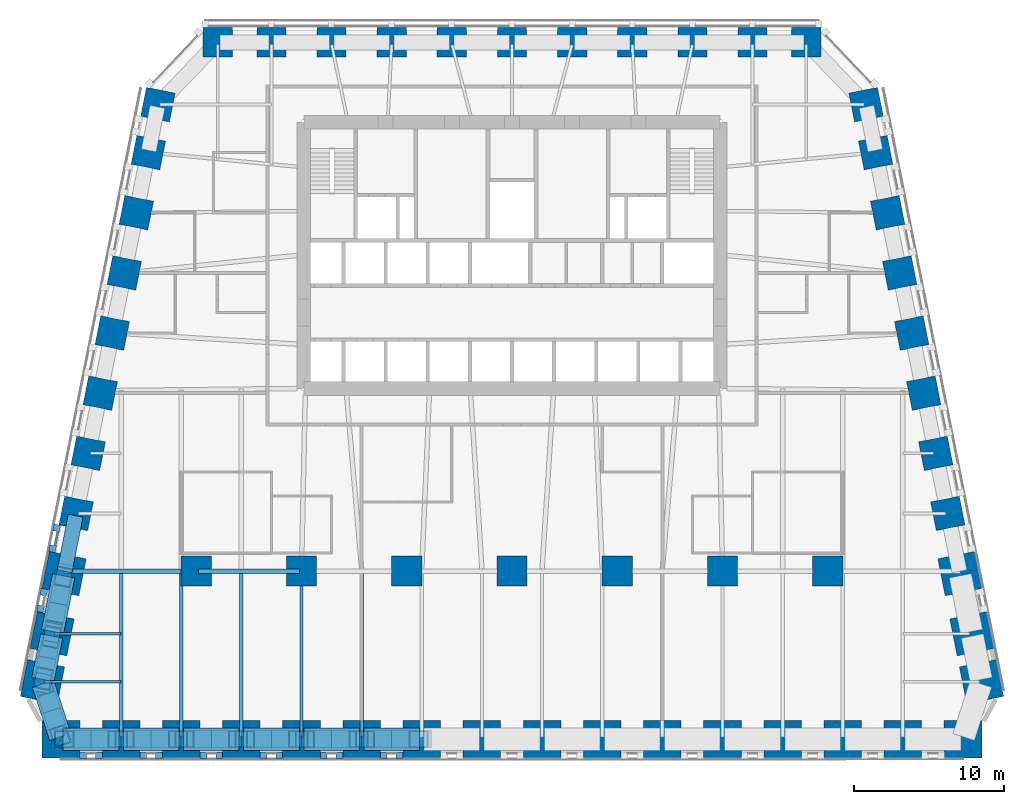
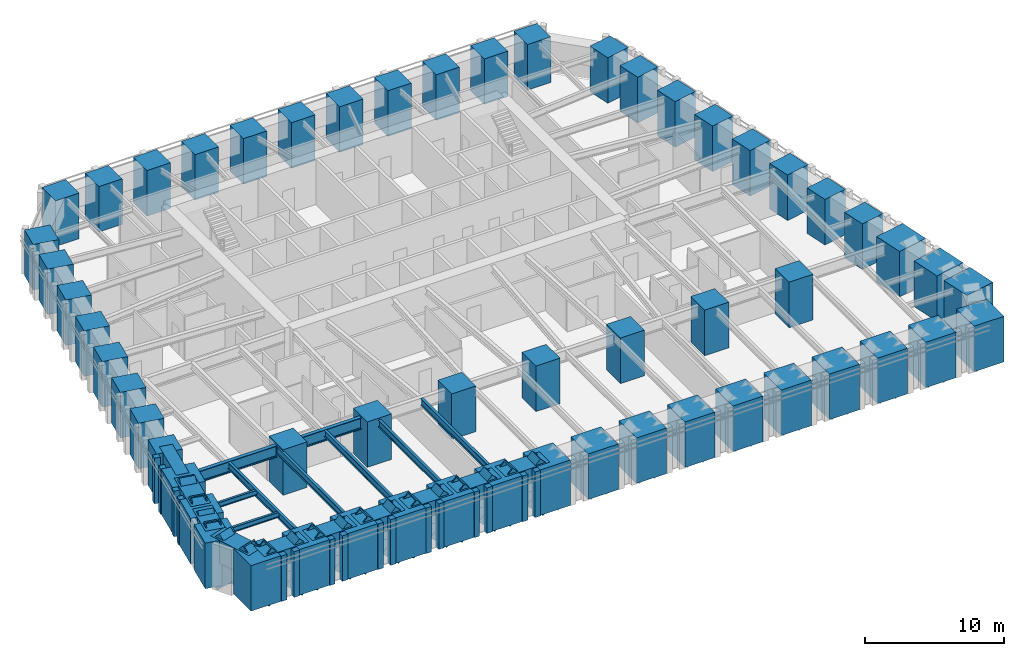
# One storey, part 1 of 16: 56 columns, 35 members, 19 beams, 8 elements without a shape of their own.
"""IFC4 building model written with IfcOpenShell, lengths in metres."""

import ifcopenshell
import ifcopenshell.guid

model = None  # the IFC model being written
_history = None  # IfcOwnerHistory: only IFC2X3 demands one
_inside = {}  # id of a spatial element -> (the spatial element, [elements in it])
_under = {}  # id of a project, library or spatial element -> (it, [spatial elements below it])
_declared = {}  # id of a project -> (the project, [libraries it declares])
_typed = {}  # id of a type object -> (the type object, [elements of that type])
_made_of = {}  # id of a material, layer set ... -> (it, [elements and type objects made of it])


def new_model(schema):
    """Start an empty IFC model of exactly this schema.

    Asked for "IFC4X3", IfcOpenShell would pick the latest addendum, in which some entities
    have other attributes; the version numbers below select the first issue.
    IFC2X3 requires an IfcOwnerHistory on every rooted entity: one is made here for all.
    """
    global model, _history
    if schema == "IFC4X3":
        model = ifcopenshell.file(schema_version=(4, 3, 0, 0))
    else:
        model = ifcopenshell.file(schema=schema)
    _inside.clear()
    _under.clear()
    _declared.clear()
    _typed.clear()
    _made_of.clear()
    _history = None
    if model.schema == "IFC2X3":
        org = make("IfcOrganization", Name="unknown")
        user = make(
            "IfcPersonAndOrganization",
            ThePerson=make("IfcPerson", FamilyName="unknown"),
            TheOrganization=org,
        )
        app = make(
            "IfcApplication",
            ApplicationDeveloper=org,
            Version="unknown",
            ApplicationFullName="unknown",
            ApplicationIdentifier="unknown",
        )
        _history = make(
            "IfcOwnerHistory",
            OwningUser=user,
            OwningApplication=app,
            ChangeAction="ADDED",
            CreationDate=0,
        )
    return model


def make(cls, **values):
    """One entity of the class cls with the attributes given. An attribute that is None is left unset."""
    return model.create_entity(
        cls, **{name: value for name, value in values.items() if value is not None}
    )


def rooted(cls, **values):
    """An entity with a GlobalId (a new one), such as an element, a storey or a relation."""
    return make(cls, GlobalId=ifcopenshell.guid.new(), OwnerHistory=_history, **values)


def si_unit(unit_type, name, prefix=None):
    """IfcSIUnit, for example si_unit("LENGTHUNIT", "METRE", prefix="MILLI")."""
    return make("IfcSIUnit", UnitType=unit_type, Prefix=prefix, Name=name)


def assignment(units):
    """IfcUnitAssignment: the units of a project."""
    return None if units is None else make("IfcUnitAssignment", Units=units)


def point(xyz):
    """IfcCartesianPoint."""
    return None if xyz is None else make("IfcCartesianPoint", Coordinates=xyz)


def direction(xyz):
    """IfcDirection."""
    return None if xyz is None else make("IfcDirection", DirectionRatios=xyz)


def frame(location, z_axis=None, x_axis=None):
    """IfcAxis2Placement3D, a coordinate frame: its origin and axes. An axis left out is left unset."""
    return make(
        "IfcAxis2Placement3D",
        Location=point(location),
        Axis=direction(z_axis),
        RefDirection=direction(x_axis),
    )


def frame_2d(location, x_axis=None):
    """IfcAxis2Placement2D, a coordinate frame in the plane: its origin and x axis."""
    return make(
        "IfcAxis2Placement2D", Location=point(location), RefDirection=direction(x_axis)
    )


def origin():
    """The frame at (0, 0, 0) with its axes left unset."""
    return frame((0.0, 0.0, 0.0))


def origin_2d():
    """The frame at (0, 0) in the plane with its x axis left unset."""
    return frame_2d((0.0, 0.0))


def place(relative_to, where):
    """IfcLocalPlacement: puts the frame where relative to a parent placement (None: the world)."""
    return make(
        "IfcLocalPlacement", PlacementRelTo=relative_to, RelativePlacement=where
    )


def context(
    kind, dimensions, precision=None, world=None, true_north=None, identifier=None
):
    """IfcGeometricRepresentationContext, for example the 3D "Model" context."""
    return make(
        "IfcGeometricRepresentationContext",
        ContextIdentifier=identifier,
        ContextType=kind,
        CoordinateSpaceDimension=dimensions,
        Precision=precision,
        WorldCoordinateSystem=world,
        TrueNorth=true_north,
    )


def subcontext(parent, identifier, kind, view, scale=None):
    """IfcGeometricRepresentationSubContext, for example "Body" below "Model"."""
    return make(
        "IfcGeometricRepresentationSubContext",
        ContextIdentifier=identifier,
        ContextType=kind,
        ParentContext=parent,
        TargetScale=scale,
        TargetView=view,
    )


def project(units=None, contexts=None):
    """IfcProject with its units and contexts."""
    return rooted(
        "IfcProject",
        Name="project",
        RepresentationContexts=contexts,
        UnitsInContext=assignment(units),
    )


def spatial(cls, under=None, at=None, **own):
    """A site, building, storey or space (cls), placed at a placement, below another one or the project."""
    s = rooted(cls, ObjectPlacement=at, **own)
    if under is not None:
        _under.setdefault(under.id(), (under, []))[1].append(s)
    return s


def profile(cls, at=None, kind="AREA", **sizes):
    """A parametric profile (cls). Its sizes go by their IFC names, for example OverallWidth=200.0."""
    return make(cls, ProfileType=kind, Position=at, **sizes)


def rectangle(**sizes):
    """IfcRectangleProfileDef."""
    return profile("IfcRectangleProfileDef", **sizes)


def hollow_rectangle(**sizes):
    """IfcRectangleHollowProfileDef."""
    return profile("IfcRectangleHollowProfileDef", **sizes)


def i_section(**sizes):
    """IfcIShapeProfileDef."""
    return profile("IfcIShapeProfileDef", **sizes)


def extrude(swept, where, along, depth):
    """IfcExtrudedAreaSolid: the profile swept, set in the frame where, extruded along a direction by depth."""
    return make(
        "IfcExtrudedAreaSolid",
        SweptArea=swept,
        Position=where,
        ExtrudedDirection=direction(along),
        Depth=depth,
    )


def shape(context_of_items, identifier, shape_type, items):
    """IfcShapeRepresentation: the items that make up one representation, for example the "Body"."""
    return make(
        "IfcShapeRepresentation",
        ContextOfItems=context_of_items,
        RepresentationIdentifier=identifier,
        RepresentationType=shape_type,
        Items=items,
    )


def material(Name=None, Category=None):
    """IfcMaterial."""
    return make("IfcMaterial", Name=Name, Category=Category)


def material_profile(
    of_material, cross_section, Name=None, Category=None, Priority=None
):
    """IfcMaterialProfile: a cross section and its material."""
    return make(
        "IfcMaterialProfile",
        Name=Name,
        Material=of_material,
        Profile=cross_section,
        Priority=Priority,
        Category=Category,
    )


def profile_set(profiles, Name=None, composite=None):
    """IfcMaterialProfileSet."""
    return make(
        "IfcMaterialProfileSet",
        Name=Name,
        MaterialProfiles=profiles,
        CompositeProfile=composite,
    )


def made_of(thing, what):
    """Note that an element or type object is made of a material, layer set ...; save() writes the relation."""
    if what is not None:
        _made_of.setdefault(what.id(), (what, []))[1].append(thing)
    return thing


def type_object(cls, material=None, **own):
    """A type object (cls), such as IfcWallType, which elements share."""
    return made_of(rooted(cls, **own), material)


def element(
    cls,
    number,
    at=None,
    inside=None,
    cuts=None,
    type_object=None,
    material=None,
    context=None,
    identifier="Body",
    shape_type=None,
    held_by="IfcProductDefinitionShape",
    body=None,
    shapes=None,
    **own,
):
    """One element of the class cls, such as IfcWall. Its Tag is "e" and its number.

    at: its placement. inside: the storey or other place that contains it. cuts: it is an
    opening in that element (IfcRelVoidsElement). A single representation is given by context,
    identifier, shape_type and body (its items); several are given by shapes. held_by: the class
    of the entity that holds the representations. save() writes the other relations.
    """
    e = rooted(cls, Tag="e%d" % number, ObjectPlacement=at, **own)
    if body is not None:
        shapes = [shape(context, identifier, shape_type, body)]
    if shapes is not None:
        e.Representation = make(held_by, Representations=shapes)
    if inside is not None:
        _inside.setdefault(inside.id(), (inside, []))[1].append(e)
    if cuts is not None:
        rooted(
            "IfcRelVoidsElement", RelatingBuildingElement=cuts, RelatedOpeningElement=e
        )
    if type_object is not None:
        _typed.setdefault(type_object.id(), (type_object, []))[1].append(e)
    return made_of(e, material)


def aggregate(whole, parts):
    """IfcRelAggregates: a whole, such as a stair, and the parts it consists of."""
    return rooted("IfcRelAggregates", RelatingObject=whole, RelatedObjects=parts)


def save(model, path):
    """Write the relations noted so far, then the file.

    IfcRelAggregates (storeys below a building ...), IfcRelContainedInSpatialStructure (elements
    in a storey), IfcRelDefinesByType, IfcRelAssociatesMaterial and IfcRelDeclares: one each for
    every whole, place, type object, material and project.
    """
    for whole, parts in _under.values():
        aggregate(whole, parts)
    for where, things in _inside.values():
        rooted(
            "IfcRelContainedInSpatialStructure",
            RelatedElements=things,
            RelatingStructure=where,
        )
    for kind, things in _typed.values():
        rooted("IfcRelDefinesByType", RelatedObjects=things, RelatingType=kind)
    for what, things in _made_of.values():
        rooted("IfcRelAssociatesMaterial", RelatedObjects=things, RelatingMaterial=what)
    for by, libraries in _declared.values():
        rooted("IfcRelDeclares", RelatingContext=by, RelatedDefinitions=libraries)
    model.write(path)


model = new_model("IFC4")

# Units and contexts
model_context = context("Model", 3, precision=1e-05, world=origin(), true_north=direction((0.0, 1.0)))
body_context = subcontext(model_context, "Body", "Model", "MODEL_VIEW")
ifc_project = project(units=[si_unit("LENGTHUNIT", "METRE"), si_unit("AREAUNIT", "SQUARE_METRE"), si_unit("VOLUMEUNIT", "CUBIC_METRE"), si_unit("PLANEANGLEUNIT", "RADIAN"), si_unit("MASSUNIT", "GRAM", prefix="KILO")], contexts=[model_context])

# Site, building, storey
site_placement = place(None, origin())
site = spatial("IfcSite", under=ifc_project, at=site_placement, CompositionType="ELEMENT")
building_placement = place(site_placement, origin())
building = spatial("IfcBuilding", under=site, at=building_placement, Name="Isbrekke Arena Tower", CompositionType="ELEMENT")
storey_placement = place(building_placement, frame((0.0, 0.0, 44.0)))
storey = spatial("IfcBuildingStorey", under=building, at=storey_placement, Name="L08", CompositionType="ELEMENT", Elevation=44.0)

# Columns
ifc_material_1 = material(Name="Concrete B90 (C90/105)", Category="concrete")
ifc_material_profile_1 = material_profile(ifc_material_1, rectangle(XDim=2.0, YDim=2.0, at=origin_2d()), Name="RC 2000x2000")
ifc_profile_set_1 = profile_set([ifc_material_profile_1], Name="Concrete B90 (C90/105)")
column_type_1 = type_object("IfcColumnType", Name="C11 RC 2000 x 2000", PredefinedType="COLUMN", material=ifc_profile_set_1)
for number, where, z_axis, x_axis, name in (
    (1, (-21.0, -6.0, 0.0), (0.0, 0.0, 1.0), (1.0, 0.0, 0.0), "C11 I01"),
    (2, (-14.0, -6.0, 0.0), (0.0, 0.0, 1.0), (1.0, 0.0, 0.0), "C11 I02"),
    (3, (-7.0, -6.0, 0.0), (0.0, 0.0, 1.0), (1.0, 0.0, 0.0), "C11 I03"),
    (4, (0.0, -6.0, 0.0), (0.0, 0.0, 1.0), (1.0, 0.0, 0.0), "C11 I04"),
    (5, (7.0, -6.0, 0.0), (0.0, 0.0, 1.0), (1.0, 0.0, 0.0), "C11 I05"),
    (6, (14.0, -6.0, 0.0), (0.0, 0.0, 1.0), (1.0, 0.0, 0.0), "C11 I06"),
    (7, (21.0, -6.0, 0.0), (0.0, 0.0, 1.0), (1.0, 0.0, 0.0), "C11 I07"),
):
    element("IfcColumn", number, at=place(storey_placement, frame(where, z_axis=z_axis, x_axis=x_axis)), inside=storey, type_object=column_type_1, Name=name, PredefinedType="COLUMN", context=body_context, shape_type="SweptSolid", body=[
        extrude(rectangle(XDim=2.0, YDim=2.0, at=origin_2d()), origin(), (0.0, 0.0, 1.0), 4.0),
    ])
ifc_material_2 = material(Name="Concrete B90 (C90/105)", Category="concrete")
ifc_material_profile_2 = material_profile(ifc_material_2, rectangle(XDim=1.949951171875, YDim=1.949951171875, at=origin_2d()), Name="RC 1950x1950")
ifc_profile_set_2 = profile_set([ifc_material_profile_2], Name="Concrete B90 (C90/105)")
column_type_2 = type_object("IfcColumnType", Name="C2 RC 1950 x 1950", PredefinedType="COLUMN", material=ifc_profile_set_2)
for number, where, z_axis, x_axis, name in (
    (8, (28.990966796875, -2.161865234375, 0.0), (0.0, 0.0, 1.0), (-0.196116135138, 0.980580675691, 0.0), "C2 E04"),
    (9, (28.19091796875, 1.838134765625, 0.0), (0.0, 0.0, 1.0), (-0.196116135138, 0.980580675691, 0.0), "C2 E05"),
    (10, (27.39111328125, 5.838134765625, 0.0), (0.0, 0.0, 1.0), (-0.196116135138, 0.980580675691, 0.0), "C2 E06"),
    (11, (26.591064453125, 9.838134765625, 0.0), (0.0, 0.0, 1.0), (-0.196116135138, 0.980580675691, 0.0), "C2 E07"),
    (12, (25.791015625, 13.838134765625, 0.0), (0.0, 0.0, 1.0), (-0.196116135138, 0.980580675691, 0.0), "C2 E08"),
    (13, (24.990966796875, 17.838134765625, 0.0), (0.0, 0.0, 1.0), (-0.196116135138, 0.980580675691, 0.0), "C2 E09"),
    (14, (24.19091796875, 21.838134765625, 0.0), (0.0, 0.0, 1.0), (-0.196116135138, 0.980580675691, 0.0), "C2 E10"),
    (15, (23.552734375, 25.029296875, 0.0), (0.0, 0.0, 1.0), (-0.196116135138, 0.980580675691, 0.0), "C2 E11"),
    (16, (19.574951171875, 29.175048828125, 0.0), (0.0, 0.0, 1.0), (-1.0, 0.0, 0.0), "C2 N01"),
    (17, (16.0, 29.175048828125, 0.0), (0.0, 0.0, 1.0), (-1.0, 0.0, 0.0), "C2 N02"),
    (18, (12.0, 29.175048828125, 0.0), (0.0, 0.0, 1.0), (-1.0, 0.0, 0.0), "C2 N03"),
    (19, (8.0, 29.175048828125, 0.0), (0.0, 0.0, 1.0), (-1.0, 0.0, 0.0), "C2 N04"),
    (20, (4.0, 29.175048828125, 0.0), (0.0, 0.0, 1.0), (-1.0, 0.0, 0.0), "C2 N05"),
    (21, (0.0, 29.175048828125, 0.0), (0.0, 0.0, 1.0), (-1.0, 0.0, 0.0), "C2 N06"),
    (22, (-4.0, 29.175048828125, 0.0), (0.0, 0.0, 1.0), (-1.0, 0.0, 0.0), "C2 N07"),
    (23, (-8.0, 29.175048828125, 0.0), (0.0, 0.0, 1.0), (-1.0, 0.0, 0.0), "C2 N08"),
    (24, (-12.0, 29.175048828125, 0.0), (0.0, 0.0, 1.0), (-1.0, 0.0, 0.0), "C2 N09"),
    (25, (-16.0, 29.175048828125, 0.0), (0.0, 0.0, 1.0), (-1.0, 0.0, 0.0), "C2 N10"),
    (26, (-19.574951171875, 29.175048828125, 0.0), (0.0, 0.0, 1.0), (-1.0, 0.0, 0.0), "C2 N11"),
    (27, (-23.552734375, 25.029296875, 0.0), (0.0, 0.0, 1.0), (-0.196116135138, -0.980580675691, 0.0), "C2 W01"),
    (28, (-24.19091796875, 21.838134765625, 0.0), (0.0, 0.0, 1.0), (-0.196116135138, -0.980580675691, 0.0), "C2 W02"),
    (29, (-24.990966796875, 17.838134765625, 0.0), (0.0, 0.0, 1.0), (-0.196116135138, -0.980580675691, 0.0), "C2 W03"),
    (30, (-25.791015625, 13.838134765625, 0.0), (0.0, 0.0, 1.0), (-0.196116135138, -0.980580675691, 0.0), "C2 W04"),
    (31, (-26.591064453125, 9.838134765625, 0.0), (0.0, 0.0, 1.0), (-0.196116135138, -0.980580675691, 0.0), "C2 W05"),
    (32, (-27.39111328125, 5.838134765625, 0.0), (0.0, 0.0, 1.0), (-0.196116135138, -0.980580675691, 0.0), "C2 W06"),
    (33, (-28.19091796875, 1.838134765625, 0.0), (0.0, 0.0, 1.0), (-0.196116135138, -0.980580675691, 0.0), "C2 W07"),
    (34, (-28.990966796875, -2.161865234375, 0.0), (0.0, 0.0, 1.0), (-0.196116135138, -0.980580675691, 0.0), "C2 W08"),
):
    element("IfcColumn", number, at=place(storey_placement, frame(where, z_axis=z_axis, x_axis=x_axis)), inside=storey, type_object=column_type_2, Name=name, PredefinedType="COLUMN", context=body_context, shape_type="SweptSolid", body=[
        extrude(rectangle(XDim=1.949951171875, YDim=1.949951171875, at=origin_2d()), origin(), (0.0, 0.0, 1.0), 4.0),
    ])
ifc_material_3 = material(Name="Concrete B90 (C90/105)", Category="concrete")
ifc_material_profile_3 = material_profile(ifc_material_3, rectangle(XDim=2.5, YDim=2.5, at=origin_2d()), Name="RC 2500x2500")
ifc_profile_set_3 = profile_set([ifc_material_profile_3], Name="Concrete B90 (C90/105)")
column_type_3 = type_object("IfcColumnType", Name="C20 RC 2500 x 2500", PredefinedType="COLUMN", material=ifc_profile_set_3)
for number, where, z_axis, x_axis, name in (
    (35, (-30.0, -17.175048828125, 0.0), (0.0, 0.0, 1.0), (1.0, 0.0, 0.0), "C20 S01"),
    (36, (-26.0, -17.175048828125, 0.0), (0.0, 0.0, 1.0), (1.0, 0.0, 0.0), "C20 S02"),
    (37, (-22.0, -17.175048828125, 0.0), (0.0, 0.0, 1.0), (1.0, 0.0, 0.0), "C20 S03"),
    (38, (-18.0, -17.175048828125, 0.0), (0.0, 0.0, 1.0), (1.0, 0.0, 0.0), "C20 S04"),
    (39, (-14.0, -17.175048828125, 0.0), (0.0, 0.0, 1.0), (1.0, 0.0, 0.0), "C20 S05"),
    (40, (-10.0, -17.175048828125, 0.0), (0.0, 0.0, 1.0), (1.0, 0.0, 0.0), "C20 S06"),
    (41, (-6.0, -17.175048828125, 0.0), (0.0, 0.0, 1.0), (1.0, 0.0, 0.0), "C20 S07"),
    (42, (-2.0, -17.175048828125, 0.0), (0.0, 0.0, 1.0), (1.0, 0.0, 0.0), "C20 S08"),
    (43, (2.0, -17.175048828125, 0.0), (0.0, 0.0, 1.0), (1.0, 0.0, 0.0), "C20 S09"),
    (44, (6.0, -17.175048828125, 0.0), (0.0, 0.0, 1.0), (1.0, 0.0, 0.0), "C20 S10"),
    (45, (10.0, -17.175048828125, 0.0), (0.0, 0.0, 1.0), (1.0, 0.0, 0.0), "C20 S11"),
    (46, (14.0, -17.175048828125, 0.0), (0.0, 0.0, 1.0), (1.0, 0.0, 0.0), "C20 S12"),
    (47, (18.0, -17.175048828125, 0.0), (0.0, 0.0, 1.0), (1.0, 0.0, 0.0), "C20 S13"),
    (48, (22.0, -17.175048828125, 0.0), (0.0, 0.0, 1.0), (1.0, 0.0, 0.0), "C20 S14"),
    (49, (26.0, -17.175048828125, 0.0), (0.0, 0.0, 1.0), (1.0, 0.0, 0.0), "C20 S15"),
    (50, (30.0, -17.175048828125, 0.0), (0.0, 0.0, 1.0), (1.0, 0.0, 0.0), "C20 S16"),
    (51, (31.229248046875, -13.352783203125, 0.0), (0.0, 0.0, 1.0), (-0.196116135138, 0.980580675691, 0.0), "C20 E01"),
    (52, (30.591064453125, -10.161865234375, 0.0), (0.0, 0.0, 1.0), (-0.196116135138, 0.980580675691, 0.0), "C20 E02"),
    (53, (29.791015625, -6.161865234375, 0.0), (0.0, 0.0, 1.0), (-0.196116135138, 0.980580675691, 0.0), "C20 E03"),
    (54, (-29.791015625, -6.161865234375, 0.0), (0.0, 0.0, 1.0), (-0.196116135138, -0.980580675691, 0.0), "C20 W09"),
    (55, (-30.591064453125, -10.161865234375, 0.0), (0.0, 0.0, 1.0), (-0.196116135138, -0.980580675691, 0.0), "C20 W10"),
    (56, (-31.229248046875, -13.352783203125, 0.0), (0.0, 0.0, 1.0), (-0.196116135138, -0.980580675691, 0.0), "C20 W11"),
):
    element("IfcColumn", number, at=place(storey_placement, frame(where, z_axis=z_axis, x_axis=x_axis)), inside=storey, type_object=column_type_3, Name=name, PredefinedType="COLUMN", context=body_context, shape_type="SweptSolid", body=[
        extrude(rectangle(XDim=2.5, YDim=2.5, at=origin_2d()), origin(), (0.0, 0.0, 1.0), 4.0),
    ])

# Beams
ifc_material_4 = material(Name="Steel S355", Category="steel")
ifc_material_profile_4 = material_profile(ifc_material_4, i_section(OverallWidth=0.219970703125, OverallDepth=0.60009765625, WebThickness=0.011962890625, FlangeThickness=0.01904296875, FilletRadius=0.02392578125, at=origin_2d()), Name="IPE 600")
ifc_profile_set_4 = profile_set([ifc_material_profile_4], Name="Steel S355")
beam_type_1 = type_object("IfcBeamType", Name="B1 IPE 600", PredefinedType="BEAM", material=ifc_profile_set_4)
for number, where, z_axis, x_axis, name in (
    (57, (-26.0, -17.02490234375, 3.550048828125), (0.0, 1.0, 0.0), (-1.0, 0.0, 0.0), "B1 beam S-S02 L08"),
    (58, (-22.0, -17.02490234375, 3.550048828125), (0.0, 1.0, 0.0), (-1.0, 0.0, 0.0), "B1 beam S-S03 L08"),
    (59, (-18.0, -17.02490234375, 3.550048828125), (0.0, 1.0, 0.0), (-1.0, 0.0, 0.0), "B1 beam S-S04 L08"),
):
    element("IfcBeam", number, at=place(storey_placement, frame(where, z_axis=z_axis, x_axis=x_axis)), inside=storey, type_object=beam_type_1, Name=name, PredefinedType="BEAM", context=body_context, shape_type="SweptSolid", body=[
        extrude(i_section(OverallWidth=0.219970703125, OverallDepth=0.60009765625, WebThickness=0.011962890625, FlangeThickness=0.01904296875, FilletRadius=0.02392578125, at=origin_2d()), origin(), (0.0, 0.0, 1.0), 10.8740234375),
    ])
beam_1_placement = place(storey_placement, frame((-14.0, -17.02490234375, 3.550048828125), z_axis=(0.0, 1.0, 0.0), x_axis=(-1.0, 0.0, 0.0)))
element("IfcBeam", 60, at=beam_1_placement, inside=storey, type_object=beam_type_1, Name="B1 beam S-S05 L08", PredefinedType="BEAM", context=body_context, shape_type="SweptSolid", body=[
    extrude(i_section(OverallWidth=0.219970703125, OverallDepth=0.60009765625, WebThickness=0.011962890625, FlangeThickness=0.01904296875, FilletRadius=0.02392578125, at=origin_2d()), origin(), (0.0, 0.0, 1.0), 10.875),
])
beam_2_placement = place(storey_placement, frame((-10.0, -17.02490234375, 3.550048828125), z_axis=(0.0, 1.0, 0.0), x_axis=(-1.0, 0.0, 0.0)))
element("IfcBeam", 61, at=beam_2_placement, inside=storey, type_object=beam_type_1, Name="B1 beam S-S06 L08", PredefinedType="BEAM", context=body_context, shape_type="SweptSolid", body=[
    extrude(i_section(OverallWidth=0.219970703125, OverallDepth=0.60009765625, WebThickness=0.011962890625, FlangeThickness=0.01904296875, FilletRadius=0.02392578125, at=origin_2d()), origin(), (0.0, 0.0, 1.0), 10.8740234375),
])
ifc_material_5 = material(Name="Steel S355", Category="steel")
ifc_material_profile_5 = material_profile(ifc_material_5, i_section(OverallWidth=0.18994140625, OverallDepth=0.449951171875, WebThickness=0.009521484375, FlangeThickness=0.0146484375, FilletRadius=0.02099609375, at=origin_2d()), Name="IPE 450")
ifc_profile_set_5 = profile_set([ifc_material_profile_5], Name="Steel S355")
beam_type_2 = type_object("IfcBeamType", Name="B2 IPE 450", PredefinedType="BEAM", material=ifc_profile_set_5)
beam_3_placement = place(storey_placement, frame((-30.44091796875, -10.161865234375, 3.625), z_axis=(1.0, 0.0, 0.0), x_axis=(0.0, 1.0, 0.0)))
element("IfcBeam", 62, at=beam_3_placement, inside=storey, type_object=beam_type_2, Name="B2 beam E-W10 L08", PredefinedType="BEAM", context=body_context, shape_type="SweptSolid", body=[
    extrude(i_section(OverallWidth=0.18994140625, OverallDepth=0.449951171875, WebThickness=0.009521484375, FlangeThickness=0.0146484375, FilletRadius=0.02099609375, at=origin_2d()), origin(), (0.0, 0.0, 1.0), 4.44091796875),
])
beam_4_placement = place(storey_placement, frame((-31.079345703125, -13.352783203125, 3.625), z_axis=(1.0, 0.0, 0.0), x_axis=(0.0, 1.0, 0.0)))
element("IfcBeam", 63, at=beam_4_placement, inside=storey, type_object=beam_type_2, Name="B2 beam E-W11 L08", PredefinedType="BEAM", context=body_context, shape_type="SweptSolid", body=[
    extrude(i_section(OverallWidth=0.18994140625, OverallDepth=0.449951171875, WebThickness=0.009521484375, FlangeThickness=0.0146484375, FilletRadius=0.02099609375, at=origin_2d()), origin(), (0.0, 0.0, 1.0), 5.079345703125),
])

# Curtain wall, members
ifc_material_6 = material(Name="Glazed aluminium curtain wall", Category="aluminium")
curtain_wall_type = type_object("IfcCurtainWallType", Name="CWL TOWER CURTAIN WALL LOW ZONE", PredefinedType="USERDEFINED", material=ifc_material_6)
curtain_wall_1_placement = place(storey_placement, origin())
curtain_wall_1 = element("IfcCurtainWall", 64, at=curtain_wall_1_placement, inside=storey, type_object=curtain_wall_type, Name="CWL curtain wall L08-S", ObjectType="TOWER CURTAIN WALL LOW ZONE", PredefinedType="USERDEFINED")
ifc_material_7 = material(Name="Aluminium mullion, pale brick slip cladding", Category="masonry")
ifc_material_profile_6 = material_profile(ifc_material_7, rectangle(XDim=0.449951171875, YDim=0.449951171875, at=origin_2d()), Name="PIER 450X450")
ifc_profile_set_6 = profile_set([ifc_material_profile_6], Name="Aluminium mullion, pale brick slip cladding")
member_type_1 = type_object("IfcMemberType", Name="CWL-M PIER MULLION 450 x 450", PredefinedType="MULLION", material=ifc_profile_set_6)
member_1_placement = place(storey_placement, frame((-28.527099609375, -18.25, 0.0), z_axis=(0.0, 0.0, 1.0), x_axis=(1.0, 0.0, 0.0)))
member_1 = element("IfcMember", 65, at=member_1_placement, type_object=member_type_1, Name="CWL-M mullion 1", PredefinedType="MULLION", context=body_context, shape_type="SweptSolid", body=[
    extrude(rectangle(XDim=0.449951171875, YDim=0.449951171875, at=origin_2d()), origin(), (0.0, 0.0, 1.0), 4.0),
])
member_2_placement = place(storey_placement, frame((-27.47509765625, -18.25, 0.0), z_axis=(0.0, 0.0, 1.0), x_axis=(1.0, 0.0, 0.0)))
member_2 = element("IfcMember", 66, at=member_2_placement, type_object=member_type_1, Name="CWL-M mullion 2", PredefinedType="MULLION", context=body_context, shape_type="SweptSolid", body=[
    extrude(rectangle(XDim=0.449951171875, YDim=0.449951171875, at=origin_2d()), origin(), (0.0, 0.0, 1.0), 4.0),
])
aggregate(curtain_wall_1, [member_1, member_2])

curtain_wall_2_placement = place(storey_placement, origin())
curtain_wall_2 = element("IfcCurtainWall", 67, at=curtain_wall_2_placement, inside=storey, type_object=curtain_wall_type, Name="CWL curtain wall L08-S3", ObjectType="TOWER CURTAIN WALL LOW ZONE", PredefinedType="USERDEFINED")
member_3_placement = place(storey_placement, frame((-24.52490234375, -18.25, 0.0), z_axis=(0.0, 0.0, 1.0), x_axis=(1.0, 0.0, 0.0)))
member_3 = element("IfcMember", 68, at=member_3_placement, type_object=member_type_1, Name="CWL-M mullion 1", PredefinedType="MULLION", context=body_context, shape_type="SweptSolid", body=[
    extrude(rectangle(XDim=0.449951171875, YDim=0.449951171875, at=origin_2d()), origin(), (0.0, 0.0, 1.0), 4.0),
])
member_4_placement = place(storey_placement, frame((-23.47509765625, -18.25, 0.0), z_axis=(0.0, 0.0, 1.0), x_axis=(1.0, 0.0, 0.0)))
member_4 = element("IfcMember", 69, at=member_4_placement, type_object=member_type_1, Name="CWL-M mullion 2", PredefinedType="MULLION", context=body_context, shape_type="SweptSolid", body=[
    extrude(rectangle(XDim=0.449951171875, YDim=0.449951171875, at=origin_2d()), origin(), (0.0, 0.0, 1.0), 4.0),
])
aggregate(curtain_wall_2, [member_3, member_4])

curtain_wall_3_placement = place(storey_placement, origin())
curtain_wall_3 = element("IfcCurtainWall", 70, at=curtain_wall_3_placement, inside=storey, type_object=curtain_wall_type, Name="CWL curtain wall L08-S5", ObjectType="TOWER CURTAIN WALL LOW ZONE", PredefinedType="USERDEFINED")
member_5_placement = place(storey_placement, frame((-20.52490234375, -18.25, 0.0), z_axis=(0.0, 0.0, 1.0), x_axis=(1.0, 0.0, 0.0)))
member_5 = element("IfcMember", 71, at=member_5_placement, type_object=member_type_1, Name="CWL-M mullion 1", PredefinedType="MULLION", context=body_context, shape_type="SweptSolid", body=[
    extrude(rectangle(XDim=0.449951171875, YDim=0.449951171875, at=origin_2d()), origin(), (0.0, 0.0, 1.0), 4.0),
])
member_6_placement = place(storey_placement, frame((-19.47509765625, -18.25, 0.0), z_axis=(0.0, 0.0, 1.0), x_axis=(1.0, 0.0, 0.0)))
member_6 = element("IfcMember", 72, at=member_6_placement, type_object=member_type_1, Name="CWL-M mullion 2", PredefinedType="MULLION", context=body_context, shape_type="SweptSolid", body=[
    extrude(rectangle(XDim=0.449951171875, YDim=0.449951171875, at=origin_2d()), origin(), (0.0, 0.0, 1.0), 4.0),
])
aggregate(curtain_wall_3, [member_5, member_6])

curtain_wall_4_placement = place(storey_placement, origin())
curtain_wall_4 = element("IfcCurtainWall", 73, at=curtain_wall_4_placement, inside=storey, type_object=curtain_wall_type, Name="CWL curtain wall L08-S7", ObjectType="TOWER CURTAIN WALL LOW ZONE", PredefinedType="USERDEFINED")
member_7_placement = place(storey_placement, frame((-16.52490234375, -18.25, 0.0), z_axis=(0.0, 0.0, 1.0), x_axis=(1.0, 0.0, 0.0)))
member_7 = element("IfcMember", 74, at=member_7_placement, type_object=member_type_1, Name="CWL-M mullion 1", PredefinedType="MULLION", context=body_context, shape_type="SweptSolid", body=[
    extrude(rectangle(XDim=0.449951171875, YDim=0.449951171875, at=origin_2d()), origin(), (0.0, 0.0, 1.0), 4.0),
])
member_8_placement = place(storey_placement, frame((-15.47509765625, -18.25, 0.0), z_axis=(0.0, 0.0, 1.0), x_axis=(1.0, 0.0, 0.0)))
member_8 = element("IfcMember", 75, at=member_8_placement, type_object=member_type_1, Name="CWL-M mullion 2", PredefinedType="MULLION", context=body_context, shape_type="SweptSolid", body=[
    extrude(rectangle(XDim=0.449951171875, YDim=0.449951171875, at=origin_2d()), origin(), (0.0, 0.0, 1.0), 4.0),
])
aggregate(curtain_wall_4, [member_7, member_8])

curtain_wall_5_placement = place(storey_placement, origin())
curtain_wall_5 = element("IfcCurtainWall", 76, at=curtain_wall_5_placement, inside=storey, type_object=curtain_wall_type, Name="CWL curtain wall L08-S9", ObjectType="TOWER CURTAIN WALL LOW ZONE", PredefinedType="USERDEFINED")
member_9_placement = place(storey_placement, frame((-12.52490234375, -18.25, 0.0), z_axis=(0.0, 0.0, 1.0), x_axis=(1.0, 0.0, 0.0)))
member_9 = element("IfcMember", 77, at=member_9_placement, type_object=member_type_1, Name="CWL-M mullion 1", PredefinedType="MULLION", context=body_context, shape_type="SweptSolid", body=[
    extrude(rectangle(XDim=0.449951171875, YDim=0.449951171875, at=origin_2d()), origin(), (0.0, 0.0, 1.0), 4.0),
])
member_10_placement = place(storey_placement, frame((-11.47509765625, -18.25, 0.0), z_axis=(0.0, 0.0, 1.0), x_axis=(1.0, 0.0, 0.0)))
member_10 = element("IfcMember", 78, at=member_10_placement, type_object=member_type_1, Name="CWL-M mullion 2", PredefinedType="MULLION", context=body_context, shape_type="SweptSolid", body=[
    extrude(rectangle(XDim=0.449951171875, YDim=0.449951171875, at=origin_2d()), origin(), (0.0, 0.0, 1.0), 4.0),
])
aggregate(curtain_wall_5, [member_9, member_10])

curtain_wall_6_placement = place(storey_placement, origin())
curtain_wall_6 = element("IfcCurtainWall", 79, at=curtain_wall_6_placement, inside=storey, type_object=curtain_wall_type, Name="CWL curtain wall L08-S11", ObjectType="TOWER CURTAIN WALL LOW ZONE", PredefinedType="USERDEFINED")
member_11_placement = place(storey_placement, frame((-8.52490234375, -18.25, 0.0), z_axis=(0.0, 0.0, 1.0), x_axis=(1.0, 0.0, 0.0)))
member_11 = element("IfcMember", 80, at=member_11_placement, type_object=member_type_1, Name="CWL-M mullion 1", PredefinedType="MULLION", context=body_context, shape_type="SweptSolid", body=[
    extrude(rectangle(XDim=0.449951171875, YDim=0.449951171875, at=origin_2d()), origin(), (0.0, 0.0, 1.0), 4.0),
])
member_12_placement = place(storey_placement, frame((-7.47509765625, -18.25, 0.0), z_axis=(0.0, 0.0, 1.0), x_axis=(1.0, 0.0, 0.0)))
member_12 = element("IfcMember", 81, at=member_12_placement, type_object=member_type_1, Name="CWL-M mullion 2", PredefinedType="MULLION", context=body_context, shape_type="SweptSolid", body=[
    extrude(rectangle(XDim=0.449951171875, YDim=0.449951171875, at=origin_2d()), origin(), (0.0, 0.0, 1.0), 4.0),
])
aggregate(curtain_wall_6, [member_11, member_12])

curtain_wall_7_placement = place(storey_placement, origin())
curtain_wall_7 = element("IfcCurtainWall", 82, at=curtain_wall_7_placement, inside=storey, type_object=curtain_wall_type, Name="CWL curtain wall L08-W15", ObjectType="TOWER CURTAIN WALL LOW ZONE", PredefinedType="USERDEFINED")
member_13_placement = place(storey_placement, frame((-30.280517578125, -3.127685546875, 0.0), z_axis=(0.0, 0.0, 1.0), x_axis=(-0.196116135138, -0.980580675691, 0.0)))
member_13 = element("IfcMember", 83, at=member_13_placement, type_object=member_type_1, Name="CWL-M mullion 1", PredefinedType="MULLION", context=body_context, shape_type="SweptSolid", body=[
    extrude(rectangle(XDim=0.449951171875, YDim=0.449951171875, at=origin_2d()), origin(), (0.0, 0.0, 1.0), 4.0),
])
member_14_placement = place(storey_placement, frame((-30.555908203125, -4.504638671875, 0.0), z_axis=(0.0, 0.0, 1.0), x_axis=(-0.196116135138, -0.980580675691, 0.0)))
member_14 = element("IfcMember", 84, at=member_14_placement, type_object=member_type_1, Name="CWL-M mullion 2", PredefinedType="MULLION", context=body_context, shape_type="SweptSolid", body=[
    extrude(rectangle(XDim=0.449951171875, YDim=0.449951171875, at=origin_2d()), origin(), (0.0, 0.0, 1.0), 4.0),
])

curtain_wall_8_placement = place(storey_placement, origin())
curtain_wall_8 = element("IfcCurtainWall", 85, at=curtain_wall_8_placement, inside=storey, type_object=curtain_wall_type, Name="CWL curtain wall L08-W17", ObjectType="TOWER CURTAIN WALL LOW ZONE", PredefinedType="USERDEFINED")
member_15_placement = place(storey_placement, frame((-31.134521484375, -7.397216796875, 0.0), z_axis=(0.0, 0.0, 1.0), x_axis=(-0.196116135138, -0.980580675691, 0.0)))
member_15 = element("IfcMember", 86, at=member_15_placement, type_object=member_type_1, Name="CWL-M mullion 1", PredefinedType="MULLION", context=body_context, shape_type="SweptSolid", body=[
    extrude(rectangle(XDim=0.449951171875, YDim=0.449951171875, at=origin_2d()), origin(), (0.0, 0.0, 1.0), 4.0),
])
member_16_placement = place(storey_placement, frame((-31.35595703125, -8.504638671875, 0.0), z_axis=(0.0, 0.0, 1.0), x_axis=(-0.196116135138, -0.980580675691, 0.0)))
member_16 = element("IfcMember", 87, at=member_16_placement, type_object=member_type_1, Name="CWL-M mullion 2", PredefinedType="MULLION", context=body_context, shape_type="SweptSolid", body=[
    extrude(rectangle(XDim=0.449951171875, YDim=0.449951171875, at=origin_2d()), origin(), (0.0, 0.0, 1.0), 4.0),
])
aggregate(curtain_wall_8, [member_15, member_16])

# Member
ifc_material_8 = material(Name="Aluminium transom", Category="aluminium")
ifc_material_profile_7 = material_profile(ifc_material_8, rectangle(XDim=0.1201171875, YDim=0.199951171875, at=origin_2d()), Name="TRANSOM 120X200")
ifc_profile_set_7 = profile_set([ifc_material_profile_7], Name="Aluminium transom")
member_type_2 = type_object("IfcMemberType", Name="CWL-T TRANSOM 120 x 200", PredefinedType="USERDEFINED", material=ifc_profile_set_7)
member_17_placement = place(storey_placement, frame((-30.2021484375, -3.372802734375, 3.0), z_axis=(-0.19596853661, -0.980610183844, 0.0), x_axis=(0.980610183844, -0.19596853661, 0.0)))
member_17 = element("IfcMember", 88, at=member_17_placement, type_object=member_type_2, Name="CWL-T transom 1", ObjectType="TRANSOM", PredefinedType="USERDEFINED", context=body_context, shape_type="SweptSolid", body=[
    extrude(rectangle(XDim=0.1201171875, YDim=0.199951171875, at=origin_2d()), origin(), (0.0, 0.0, 1.0), 0.954345703125),
])

aggregate(curtain_wall_7, [member_13, member_14, member_17])

# Beams
ifc_material_9 = material(Name="Steel S355", Category="steel")
ifc_material_profile_8 = material_profile(ifc_material_9, i_section(OverallWidth=0.302001953125, OverallDepth=1.008056640625, WebThickness=0.02099609375, FlangeThickness=0.0400390625, FilletRadius=0.030029296875, at=origin_2d()), Name="HEM 1000")
ifc_profile_set_8 = profile_set([ifc_material_profile_8], Name="Steel S355")
beam_type_3 = type_object("IfcBeamType", Name="G1 HEM 1000", PredefinedType="BEAM", material=ifc_profile_set_8)
beam_5_placement = place(storey_placement, frame((-29.791015625, -6.0, 3.345947265625), z_axis=(1.0, 0.0, 0.0), x_axis=(0.0, 1.0, 0.0)))
element("IfcBeam", 89, at=beam_5_placement, inside=storey, type_object=beam_type_3, Name="G1 beam G1-01 L08", PredefinedType="BEAM", context=body_context, shape_type="SweptSolid", body=[
    extrude(i_section(OverallWidth=0.302001953125, OverallDepth=1.008056640625, WebThickness=0.02099609375, FlangeThickness=0.0400390625, FilletRadius=0.030029296875, at=origin_2d()), origin(), (0.0, 0.0, 1.0), 8.64111328125),
])
beam_6_placement = place(storey_placement, frame((-20.85009765625, -6.0, 3.345947265625), z_axis=(1.0, 0.0, 0.0), x_axis=(0.0, 1.0, 0.0)))
element("IfcBeam", 90, at=beam_6_placement, inside=storey, type_object=beam_type_3, Name="G1 beam G1-02 L08", PredefinedType="BEAM", context=body_context, shape_type="SweptSolid", body=[
    extrude(i_section(OverallWidth=0.302001953125, OverallDepth=1.008056640625, WebThickness=0.02099609375, FlangeThickness=0.0400390625, FilletRadius=0.030029296875, at=origin_2d()), origin(), (0.0, 0.0, 1.0), 6.7001953125),
])
ifc_material_10 = material(Name="Concrete B90 (C90/105)", Category="concrete")
ifc_material_profile_9 = material_profile(ifc_material_10, rectangle(XDim=1.0, YDim=1.60009765625, at=origin_2d()), Name="RC 1000x1600")
ifc_profile_set_9 = profile_set([ifc_material_profile_9], Name="Concrete B90 (C90/105)")
beam_type_4 = type_object("IfcBeamType", Name="SB1 RC 1000 x 1600", PredefinedType="SPANDREL", material=ifc_profile_set_9)
beam_7_placement = place(storey_placement, frame((-29.0205078125, -2.308837890625, 3.199951171875), z_axis=(-0.196128558387, -0.980578190959, 0.0), x_axis=(0.980578190959, -0.196128558387, 0.0)))
element("IfcBeam", 91, at=beam_7_placement, inside=storey, type_object=beam_type_4, Name="SB1 spandrel W08-W09 L08", PredefinedType="SPANDREL", context=body_context, shape_type="SweptSolid", body=[
    extrude(rectangle(XDim=1.0, YDim=1.60009765625, at=origin_2d()), origin(), (0.0, 0.0, 1.0), 3.779296875),
])
ifc_material_11 = material(Name="Concrete B90 (C90/105)", Category="concrete")
ifc_material_profile_10 = material_profile(ifc_material_11, rectangle(XDim=1.5, YDim=2.0, at=origin_2d()), Name="RC 1500x2000")
ifc_profile_set_10 = profile_set([ifc_material_profile_10], Name="Concrete B90 (C90/105)")
beam_type_5 = type_object("IfcBeamType", Name="SB6 RC 1500 x 2000", PredefinedType="SPANDREL", material=ifc_profile_set_10)
for number, where, z_axis, x_axis, name in (
    (92, (-29.85009765625, -17.175048828125, 3.0), (1.0, 0.0, 0.0), (0.0, 1.0, 0.0), "SB6 spandrel S01-S02 L08"),
    (93, (-25.85009765625, -17.175048828125, 3.0), (1.0, 0.0, 0.0), (0.0, 1.0, 0.0), "SB6 spandrel S02-S03 L08"),
    (94, (-21.85009765625, -17.175048828125, 3.0), (1.0, 0.0, 0.0), (0.0, 1.0, 0.0), "SB6 spandrel S03-S04 L08"),
    (95, (-17.85009765625, -17.175048828125, 3.0), (1.0, 0.0, 0.0), (0.0, 1.0, 0.0), "SB6 spandrel S04-S05 L08"),
    (96, (-13.85009765625, -17.175048828125, 3.0), (1.0, 0.0, 0.0), (0.0, 1.0, 0.0), "SB6 spandrel S05-S06 L08"),
    (97, (-9.85009765625, -17.175048828125, 3.0), (1.0, 0.0, 0.0), (0.0, 1.0, 0.0), "SB6 spandrel S06-S07 L08"),
):
    element("IfcBeam", number, at=place(storey_placement, frame(where, z_axis=z_axis, x_axis=x_axis)), inside=storey, type_object=beam_type_5, Name=name, PredefinedType="SPANDREL", context=body_context, shape_type="SweptSolid", body=[
        extrude(rectangle(XDim=1.5, YDim=2.0, at=origin_2d()), origin(), (0.0, 0.0, 1.0), 3.7001953125),
    ])
beam_8_placement = place(storey_placement, frame((-29.820556640625, -6.308837890625, 3.0), z_axis=(-0.1960664412, -0.980590613169, 0.0), x_axis=(0.980590613169, -0.1960664412, 0.0)))
element("IfcBeam", 98, at=beam_8_placement, inside=storey, type_object=beam_type_5, Name="SB6 spandrel W09-W10 L08", PredefinedType="SPANDREL", context=body_context, shape_type="SweptSolid", body=[
    extrude(rectangle(XDim=1.5, YDim=2.0, at=origin_2d()), origin(), (0.0, 0.0, 1.0), 3.779052734375),
])
beam_9_placement = place(storey_placement, frame((-30.620361328125, -10.308837890625, 3.0), z_axis=(-0.196100243168, -0.980583853951, 0.0), x_axis=(0.980583853951, -0.196100243168, 0.0)))
element("IfcBeam", 99, at=beam_9_placement, inside=storey, type_object=beam_type_5, Name="SB6 spandrel W10-W11 L08", PredefinedType="SPANDREL", context=body_context, shape_type="SweptSolid", body=[
    extrude(rectangle(XDim=1.5, YDim=2.0, at=origin_2d()), origin(), (0.0, 0.0, 1.0), 2.954345703125),
])
beam_10_placement = place(storey_placement, frame((-31.183349609375, -13.49560546875, 3.0), z_axis=(0.306175101476, -0.951975213562, 0.0), x_axis=(0.951975213562, 0.306175101476, 0.0)))
element("IfcBeam", 100, at=beam_10_placement, inside=storey, type_object=beam_type_5, Name="SB6 spandrel W11-S01 L08", PredefinedType="SPANDREL", context=body_context, shape_type="SweptSolid", body=[
    extrude(rectangle(XDim=1.5, YDim=2.0, at=origin_2d()), origin(), (0.0, 0.0, 1.0), 3.715087890625),
])

# Members
ifc_material_12 = material(Name="Steel S460", Category="steel")
ifc_material_profile_11 = material_profile(ifc_material_12, hollow_rectangle(XDim=1.199951171875, YDim=1.800048828125, WallThickness=0.090087890625, at=origin_2d()), Name="BOX 1200x1800x90")
ifc_profile_set_11 = profile_set([ifc_material_profile_11], Name="Steel S460")
member_type_3 = type_object("IfcMemberType", Name="TB1 BOX 1200x1800x90", PredefinedType="BRACE", material=ifc_profile_set_11)
for number, where, z_axis, x_axis, name in (
    (101, (-29.791015625, -6.161865234375, 0.0), (-0.140032438362, -0.700117005481, 0.700162191812), (0.980578241477, -0.196128305817, 0.0), "TB1 transfer brace W09-W10 L08 A"),
    (102, (-29.83447265625, -6.37890625, 3.782958984375), (-0.140028008403, -0.700140042014, -0.700140042014), (0.980580675691, -0.196116135138, 0.0), "TB1 transfer brace W09-W10 L08 B"),
):
    element("IfcMember", number, at=place(storey_placement, frame(where, z_axis=z_axis, x_axis=x_axis)), inside=storey, type_object=member_type_3, Name=name, PredefinedType="BRACE", context=body_context, shape_type="SweptSolid", body=[
        extrude(hollow_rectangle(XDim=1.199951171875, YDim=1.800048828125, WallThickness=0.090087890625, at=origin_2d()), origin(), (0.0, 0.0, 1.0), 5.403076171875),
    ])
for number, where, z_axis, x_axis, name in (
    (103, (-30.591064453125, -10.161865234375, 0.0), (-0.123773292261, -0.618815796836, 0.775723650348), (0.980577587758, -0.196131574168, 0.0), "TB1 transfer brace W10-W11 L08 A"),
    (104, (-30.6328125, -10.370849609375, 3.738037109375), (-0.123773292261, -0.618815796836, -0.775723650348), (0.980577587758, -0.196131574168, 0.0), "TB1 transfer brace W10-W11 L08 B"),
):
    element("IfcMember", number, at=place(storey_placement, frame(where, z_axis=z_axis, x_axis=x_axis)), inside=storey, type_object=member_type_3, Name=name, PredefinedType="BRACE", context=body_context, shape_type="SweptSolid", body=[
        extrude(hollow_rectangle(XDim=1.199951171875, YDim=1.800048828125, WallThickness=0.090087890625, at=origin_2d()), origin(), (0.0, 0.0, 1.0), 4.81884765625),
    ])
for number, where, z_axis, x_axis, name in (
    (105, (-31.229248046875, -13.352783203125, 0.0), (0.216888895255, -0.67441597421, 0.705777798493), (0.951982356028, 0.306152892868, 0.0), "TB1 transfer brace W11-S01 L08 A"),
    (106, (-31.16162109375, -13.56298828125, 3.780029296875), (0.216888895255, -0.67441597421, -0.705777798493), (0.951982356028, 0.306152892868, 0.0), "TB1 transfer brace W11-S01 L08 B"),
):
    element("IfcMember", number, at=place(storey_placement, frame(where, z_axis=z_axis, x_axis=x_axis)), inside=storey, type_object=member_type_3, Name=name, PredefinedType="BRACE", context=body_context, shape_type="SweptSolid", body=[
        extrude(hollow_rectangle(XDim=1.199951171875, YDim=1.800048828125, WallThickness=0.090087890625, at=origin_2d()), origin(), (0.0, 0.0, 1.0), 5.355712890625),
    ])
for number, where, z_axis, x_axis, name in (
    (107, (-30.0, -17.175048828125, 0.0), (0.707106781187, 0.0, 0.707106781187), (0.0, 1.0, 0.0), "TB1 transfer brace S01-S02 L08 A"),
    (108, (-29.779296875, -17.175048828125, 3.779296875), (0.707106781187, 0.0, -0.707106781187), (0.0, 1.0, 0.0), "TB1 transfer brace S01-S02 L08 B"),
    (109, (-26.0, -17.175048828125, 0.0), (0.707106781187, 0.0, 0.707106781187), (0.0, 1.0, 0.0), "TB1 transfer brace S02-S03 L08 A"),
    (110, (-25.779296875, -17.175048828125, 3.779296875), (0.707106781187, 0.0, -0.707106781187), (0.0, 1.0, 0.0), "TB1 transfer brace S02-S03 L08 B"),
    (111, (-22.0, -17.175048828125, 0.0), (0.707106781187, 0.0, 0.707106781187), (0.0, 1.0, 0.0), "TB1 transfer brace S03-S04 L08 A"),
    (112, (-21.779296875, -17.175048828125, 3.779296875), (0.707106781187, 0.0, -0.707106781187), (0.0, 1.0, 0.0), "TB1 transfer brace S03-S04 L08 B"),
    (113, (-18.0, -17.175048828125, 0.0), (0.707106781187, 0.0, 0.707106781187), (0.0, 1.0, 0.0), "TB1 transfer brace S04-S05 L08 A"),
    (114, (-17.779296875, -17.175048828125, 3.779296875), (0.707106781187, 0.0, -0.707106781187), (0.0, 1.0, 0.0), "TB1 transfer brace S04-S05 L08 B"),
    (115, (-14.0, -17.175048828125, 0.0), (0.707106781187, 0.0, 0.707106781187), (0.0, 1.0, 0.0), "TB1 transfer brace S05-S06 L08 A"),
    (116, (-13.779296875, -17.175048828125, 3.779296875), (0.707106781187, 0.0, -0.707106781187), (0.0, 1.0, 0.0), "TB1 transfer brace S05-S06 L08 B"),
    (117, (-10.0, -17.175048828125, 0.0), (0.707106781187, 0.0, 0.707106781187), (0.0, 1.0, 0.0), "TB1 transfer brace S06-S07 L08 A"),
    (118, (-9.779296875, -17.175048828125, 3.779296875), (0.707106781187, 0.0, -0.707106781187), (0.0, 1.0, 0.0), "TB1 transfer brace S06-S07 L08 B"),
):
    element("IfcMember", number, at=place(storey_placement, frame(where, z_axis=z_axis, x_axis=x_axis)), inside=storey, type_object=member_type_3, Name=name, PredefinedType="BRACE", context=body_context, shape_type="SweptSolid", body=[
        extrude(hollow_rectangle(XDim=1.199951171875, YDim=1.800048828125, WallThickness=0.090087890625, at=origin_2d()), origin(), (0.0, 0.0, 1.0), 5.3447265625),
    ])

save(model, "model.ifc")
